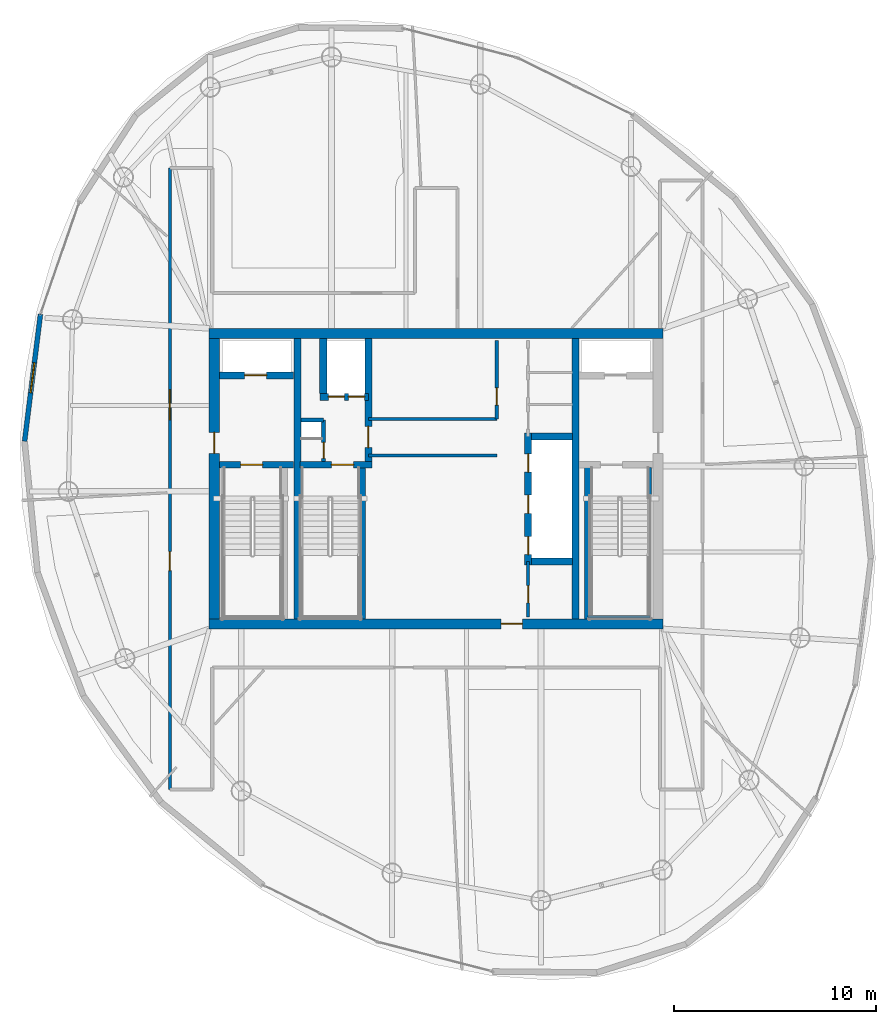
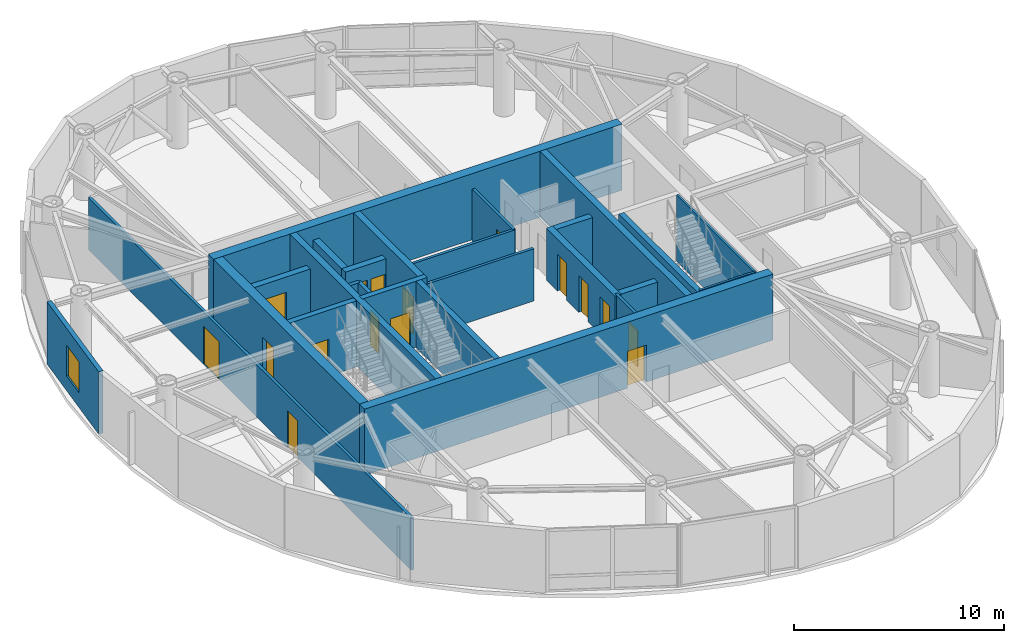
# One storey, part 12 of 17: 26 walls, 16 doors, 1 window, 17 openings.
"""IFC4 building model written with IfcOpenShell, lengths in metres."""

from ifc_helpers import new_model, si_unit, direction, frame, frame_2d, origin, place, context, subcontext, project, spatial, rectangle, extrude, material, layer, layer_set, type_object, element, fill, save


model = new_model("IFC4")

# Units and contexts
model_context = context("Model", 3, precision=1e-05, world=origin(), true_north=direction((0.0, 1.0)))
body_context = subcontext(model_context, "Body", "Model", "MODEL_VIEW")
ifc_project = project(units=[si_unit("LENGTHUNIT", "METRE"), si_unit("AREAUNIT", "SQUARE_METRE"), si_unit("VOLUMEUNIT", "CUBIC_METRE"), si_unit("PLANEANGLEUNIT", "RADIAN"), si_unit("MASSUNIT", "GRAM", prefix="KILO")], contexts=[model_context])

# Site, building, storey
site_placement = place(None, origin())
site = spatial("IfcSite", under=ifc_project, at=site_placement, CompositionType="ELEMENT")
building_placement = place(site_placement, origin())
building = spatial("IfcBuilding", under=site, at=building_placement, Name="Bramvorn Convention Spire", CompositionType="ELEMENT")
storey_placement = place(building_placement, frame((0.0, 0.0, 280.550048828125)))
storey = spatial("IfcBuildingStorey", under=building, at=storey_placement, Name="L71", CompositionType="ELEMENT", Elevation=280.550048828125)

# Wall, opening, door
ifc_material_1 = material(Name="Concrete C50/60", Category="concrete")
ifc_layer_1 = layer(ifc_material_1, 0.5)
ifc_layer_set_1 = layer_set([ifc_layer_1], Name="Concrete C50/60 - WL-CORE-500")
wall_type_1 = type_object("IfcWallType", Name="WL-CORE-500", PredefinedType="SHEAR", material=ifc_layer_set_1)
wall_1_placement = place(storey_placement, frame((26.75, 18.800048828125, 0.0), z_axis=(0.0, 0.0, 1.0), x_axis=(1.0, 0.0, 0.0)))
wall_1 = element("IfcWall", 1, at=wall_1_placement, inside=storey, type_object=wall_type_1, Name="L71 South RC core shear wall", PredefinedType="SHEAR", context=body_context, shape_type="SweptSolid", body=[
    extrude(rectangle(XDim=22.5, YDim=0.5, at=frame_2d((11.25, 0.0))), origin(), (0.0, 0.0, 1.0), 3.849853515625),
])
opening_1_placement = place(wall_1_placement, frame((14.469970703125, 0.0, 0.0)))
opening_1 = element("IfcOpeningElement", 2, at=opening_1_placement, cuts=wall_1, Name="Opening DL-105", PredefinedType="OPENING", context=body_context, shape_type="SweptSolid", body=[
    extrude(rectangle(XDim=1.050048828125, YDim=2.14990234375, at=frame_2d((0.52490234375, 1.074951171875))), frame((0.0, 0.260009765625, 0.0), z_axis=(0.0, -1.0, 0.0), x_axis=(1.0, 0.0, 0.0)), (0.0, 0.0, 1.0), 0.52001953125),
])
ifc_material_2 = material(Name="Smoke-Sealed Fire Lobby Timber-Core Door", Category="wood")
door_type_1 = type_object("IfcDoorType", Name="DR-LOBBY-1050", OperationType="NOTDEFINED", PredefinedType="DOOR", material=ifc_material_2)
door_1_placement = place(opening_1_placement, origin())
door_1 = element("IfcDoor", 3, at=door_1_placement, inside=storey, type_object=door_type_1, Name="L71 South Lift Lobby fire door", OperationType="SINGLE_SWING_RIGHT", OverallHeight=2.14990234375, OverallWidth=1.050048828125, PredefinedType="DOOR", context=body_context, shape_type="SweptSolid", body=[
    extrude(rectangle(XDim=1.050048828125, YDim=2.14990234375, at=frame_2d((0.52490234375, 1.074951171875))), frame((0.0, 0.02490234375, 0.0), z_axis=(0.0, -1.0, 0.0), x_axis=(1.0, 0.0, 0.0)), (0.0, 0.0, 1.0), 0.050048828125),
])
fill(opening_1, door_1)

# Wall
wall_2_placement = place(storey_placement, frame((26.75, 33.199951171875, 0.0), z_axis=(0.0, 0.0, 1.0), x_axis=(1.0, 0.0, 0.0)))
element("IfcWall", 4, at=wall_2_placement, inside=storey, type_object=wall_type_1, Name="L71 North RC core shear wall", PredefinedType="SHEAR", context=body_context, shape_type="SweptSolid", body=[
    extrude(rectangle(XDim=22.5, YDim=0.5, at=frame_2d((11.25, 0.0))), origin(), (0.0, 0.0, 1.0), 3.849853515625),
])

# Wall, opening, door
wall_3_placement = place(storey_placement, frame((27.0, 19.050048828125, 0.0), z_axis=(0.0, 0.0, 1.0), x_axis=(0.0, 1.0, 0.0)))
wall_3 = element("IfcWall", 5, at=wall_3_placement, inside=storey, type_object=wall_type_1, Name="L71 West RC core shear wall", PredefinedType="SHEAR", context=body_context, shape_type="SweptSolid", body=[
    extrude(rectangle(XDim=13.89990234375, YDim=0.5, at=frame_2d((6.949951171875, 0.0))), origin(), (0.0, 0.0, 1.0), 3.849853515625),
])
opening_2_placement = place(wall_3_placement, frame((8.199951171875, 0.0, 0.0)))
opening_2 = element("IfcOpeningElement", 6, at=opening_2_placement, cuts=wall_3, Name="Opening DL-105", PredefinedType="OPENING", context=body_context, shape_type="SweptSolid", body=[
    extrude(rectangle(XDim=1.050048828125, YDim=2.14990234375, at=frame_2d((0.52490234375, 1.074951171875))), frame((0.0, 0.260009765625, 0.0), z_axis=(0.0, -1.0, 0.0), x_axis=(1.0, 0.0, 0.0)), (0.0, 0.0, 1.0), 0.52001953125),
])
door_2_placement = place(opening_2_placement, origin())
door_2 = element("IfcDoor", 7, at=door_2_placement, inside=storey, type_object=door_type_1, Name="L71 West Firefighting Lobby corridor door", OperationType="SINGLE_SWING_RIGHT", OverallHeight=2.14990234375, OverallWidth=1.050048828125, PredefinedType="DOOR", context=body_context, shape_type="SweptSolid", body=[
    extrude(rectangle(XDim=1.050048828125, YDim=2.14990234375, at=frame_2d((0.52490234375, 1.074951171875))), frame((0.0, 0.02490234375, 0.0), z_axis=(0.0, -1.0, 0.0), x_axis=(1.0, 0.0, 0.0)), (0.0, 0.0, 1.0), 0.050048828125),
])
fill(opening_2, door_2)

# Walls
ifc_layer_2 = layer(ifc_material_1, 0.35009765625)
ifc_layer_set_2 = layer_set([ifc_layer_2], Name="Concrete C50/60 - WL-CORE-INT-350")
wall_type_2 = type_object("IfcWallType", Name="WL-CORE-INT-350", PredefinedType="SHEAR", material=ifc_layer_set_2)
for number, where, z_axis, x_axis, name in (
    (8, (31.1298828125, 19.050048828125, 0.0), (0.0, 0.0, 1.0), (0.0, 1.0, 0.0), "L71 West internal core shear web"),
    (9, (44.89990234375, 19.050048828125, 0.0), (0.0, 0.0, 1.0), (0.0, 1.0, 0.0), "L71 East internal core shear web"),
):
    element("IfcWall", number, at=place(storey_placement, frame(where, z_axis=z_axis, x_axis=x_axis)), inside=storey, type_object=wall_type_2, Name=name, PredefinedType="SHEAR", context=body_context, shape_type="SweptSolid", body=[
        extrude(rectangle(XDim=13.89990234375, YDim=0.35009765625, at=frame_2d((6.949951171875, 0.0))), origin(), (0.0, 0.0, 1.0), 3.849853515625),
    ])

# Wall, opening, door
wall_4_placement = place(storey_placement, frame((27.25, 31.1201171875, 0.0), z_axis=(0.0, 0.0, 1.0), x_axis=(1.0, 0.0, 0.0)))
wall_4 = element("IfcWall", 10, at=wall_4_placement, inside=storey, type_object=wall_type_2, Name="L71 FE1 shaft front wall", PredefinedType="SHEAR", context=body_context, shape_type="SweptSolid", body=[
    extrude(rectangle(XDim=3.669921875, YDim=0.35009765625, at=frame_2d((1.8349609375, 0.0))), origin(), (0.0, 0.0, 1.0), 3.0400390625),
])
opening_3_placement = place(wall_4_placement, frame((1.25, 0.0, 0.0)))
opening_3 = element("IfcOpeningElement", 11, at=opening_3_placement, cuts=wall_4, Name="Opening LD-110", PredefinedType="OPENING", context=body_context, shape_type="SweptSolid", body=[
    extrude(rectangle(XDim=1.10009765625, YDim=2.14990234375, at=frame_2d((0.550048828125, 1.074951171875))), frame((0.0, 0.18505859375, 0.0), z_axis=(0.0, -1.0, 0.0), x_axis=(1.0, 0.0, 0.0)), (0.0, 0.0, 1.0), 0.3701171875),
])
ifc_material_3 = material(Name="Firefighting & Service Lift Sliding Landing Door", Category="steel")
door_type_2 = type_object("IfcDoorType", Name="DR-LIFT-LD-1100", OperationType="NOTDEFINED", PredefinedType="DOOR", material=ifc_material_3)
door_3_placement = place(opening_3_placement, origin())
door_3 = element("IfcDoor", 12, at=door_3_placement, inside=storey, type_object=door_type_2, Name="L71 Lift FE1 Sliding Landing Door", OperationType="SLIDING_TO_LEFT", OverallHeight=2.14990234375, OverallWidth=1.10009765625, PredefinedType="DOOR", context=body_context, shape_type="SweptSolid", body=[
    extrude(rectangle(XDim=1.10009765625, YDim=2.14990234375, at=frame_2d((0.550048828125, 1.074951171875))), frame((0.0, 0.02490234375, 0.0), z_axis=(0.0, -1.0, 0.0), x_axis=(1.0, 0.0, 0.0)), (0.0, 0.0, 1.0), 0.050048828125),
])
fill(opening_3, door_3)

wall_5_placement = place(storey_placement, frame((34.639892578125, 26.68994140625, 0.0), z_axis=(0.0, 0.0, 1.0), x_axis=(0.0, 1.0, 0.0)))
wall_5 = element("IfcWall", 13, at=wall_5_placement, inside=storey, type_object=wall_type_2, Name="L71 SV east core shaft wall", PredefinedType="SHEAR", context=body_context, shape_type="SweptSolid", body=[
    extrude(rectangle(XDim=6.260009765625, YDim=0.35009765625, at=frame_2d((3.1298828125, 0.0))), origin(), (0.0, 0.0, 1.0), 3.849853515625),
])
opening_4_placement = place(wall_5_placement, frame((0.85009765625, 0.0, 0.0)))
opening_4 = element("IfcOpeningElement", 14, at=opening_4_placement, cuts=wall_5, Name="Opening DL-105", PredefinedType="OPENING", context=body_context, shape_type="SweptSolid", body=[
    extrude(rectangle(XDim=1.050048828125, YDim=2.14990234375, at=frame_2d((0.52490234375, 1.074951171875))), frame((0.0, 0.18505859375, 0.0), z_axis=(0.0, -1.0, 0.0), x_axis=(1.0, 0.0, 0.0)), (0.0, 0.0, 1.0), 0.3701171875),
])
door_4_placement = place(opening_4_placement, origin())
door_4 = element("IfcDoor", 15, at=door_4_placement, inside=storey, type_object=door_type_1, Name="L71 Core cross-passage door", OperationType="SINGLE_SWING_RIGHT", OverallHeight=2.14990234375, OverallWidth=1.050048828125, PredefinedType="DOOR", context=body_context, shape_type="SweptSolid", body=[
    extrude(rectangle(XDim=1.050048828125, YDim=2.14990234375, at=frame_2d((0.52490234375, 1.074951171875))), frame((0.0, 0.02490234375, 0.0), z_axis=(0.0, -1.0, 0.0), x_axis=(1.0, 0.0, 0.0)), (0.0, 0.0, 1.0), 0.050048828125),
])
fill(opening_4, door_4)

# Wall, openings, doors
wall_6_placement = place(storey_placement, frame((32.22998046875, 30.050048828125, 0.0), z_axis=(0.0, 0.0, 1.0), x_axis=(1.0, 0.0, 0.0)))
wall_6 = element("IfcWall", 16, at=wall_6_placement, inside=storey, type_object=wall_type_2, Name="L71 SV1/SV2 shaft front wall", PredefinedType="SHEAR", context=body_context, shape_type="SweptSolid", body=[
    extrude(rectangle(XDim=2.409912109375, YDim=0.35009765625, at=frame_2d((1.205078125, 0.0))), origin(), (0.0, 0.0, 1.0), 3.0400390625),
])
opening_5_placement = place(wall_6_placement, frame((0.419921875, 0.0, 0.0)))
opening_5 = element("IfcOpeningElement", 17, at=opening_5_placement, cuts=wall_6, Name="Opening LD-080", PredefinedType="OPENING", context=body_context, shape_type="SweptSolid", body=[
    extrude(rectangle(XDim=0.800048828125, YDim=2.14990234375, at=frame_2d((0.39990234375, 1.074951171875))), frame((0.0, 0.18505859375, 0.0), z_axis=(0.0, -1.0, 0.0), x_axis=(1.0, 0.0, 0.0)), (0.0, 0.0, 1.0), 0.3701171875),
])
opening_6_placement = place(wall_6_placement, frame((1.419921875, 0.0, 0.0)))
opening_6 = element("IfcOpeningElement", 18, at=opening_6_placement, cuts=wall_6, Name="Opening LD-080", PredefinedType="OPENING", context=body_context, shape_type="SweptSolid", body=[
    extrude(rectangle(XDim=0.800048828125, YDim=2.14990234375, at=frame_2d((0.39990234375, 1.074951171875))), frame((0.0, 0.18505859375, 0.0), z_axis=(0.0, -1.0, 0.0), x_axis=(1.0, 0.0, 0.0)), (0.0, 0.0, 1.0), 0.3701171875),
])
ifc_material_4 = material(Name="Service Lift Bi-Parting Landing Door", Category="steel")
door_type_3 = type_object("IfcDoorType", Name="DR-LIFT-LD-800", OperationType="NOTDEFINED", PredefinedType="DOOR", material=ifc_material_4)
door_5_placement = place(opening_5_placement, origin())
door_5 = element("IfcDoor", 19, at=door_5_placement, inside=storey, type_object=door_type_3, Name="L71 Lift SV1 Sliding Landing Door", OperationType="SLIDING_TO_LEFT", OverallHeight=2.14990234375, OverallWidth=0.800048828125, PredefinedType="DOOR", context=body_context, shape_type="SweptSolid", body=[
    extrude(rectangle(XDim=0.800048828125, YDim=2.14990234375, at=frame_2d((0.39990234375, 1.074951171875))), frame((0.0, 0.02490234375, 0.0), z_axis=(0.0, -1.0, 0.0), x_axis=(1.0, 0.0, 0.0)), (0.0, 0.0, 1.0), 0.050048828125),
])
fill(opening_5, door_5)
door_6_placement = place(opening_6_placement, origin())
door_6 = element("IfcDoor", 20, at=door_6_placement, inside=storey, type_object=door_type_3, Name="L71 Lift SV2 Sliding Landing Door", OperationType="SLIDING_TO_LEFT", OverallHeight=2.14990234375, OverallWidth=0.800048828125, PredefinedType="DOOR", context=body_context, shape_type="SweptSolid", body=[
    extrude(rectangle(XDim=0.800048828125, YDim=2.14990234375, at=frame_2d((0.39990234375, 1.074951171875))), frame((0.0, 0.02490234375, 0.0), z_axis=(0.0, -1.0, 0.0), x_axis=(1.0, 0.0, 0.0)), (0.0, 0.0, 1.0), 0.050048828125),
])
fill(opening_6, door_6)

# Wall
wall_7_placement = place(storey_placement, frame((32.39990234375, 30.219970703125, 0.0), z_axis=(0.0, 0.0, 1.0), x_axis=(0.0, 1.0, 0.0)))
element("IfcWall", 21, at=wall_7_placement, inside=storey, type_object=wall_type_2, Name="L71 SV1 west hoistway wall", PredefinedType="SHEAR", context=body_context, shape_type="SweptSolid", body=[
    extrude(rectangle(XDim=2.72998046875, YDim=0.35009765625, at=frame_2d((1.364990234375, 0.0))), origin(), (0.0, 0.0, 1.0), 3.0400390625),
])

# Wall, openings, doors
wall_8_placement = place(storey_placement, frame((42.550048828125, 21.72998046875, 0.0), z_axis=(0.0, 0.0, 1.0), x_axis=(0.0, 1.0, 0.0)))
wall_8 = element("IfcWall", 22, at=wall_8_placement, inside=storey, type_object=wall_type_2, Name="L71 High-rise lift bank west wall", PredefinedType="SHEAR", context=body_context, shape_type="SweptSolid", body=[
    extrude(rectangle(XDim=6.5400390625, YDim=0.35009765625, at=frame_2d((3.27001953125, 0.0))), origin(), (0.0, 0.0, 1.0), 3.0400390625),
])
opening_7_placement = place(wall_8_placement, frame((0.5, 0.0, 0.0)))
opening_7 = element("IfcOpeningElement", 23, at=opening_7_placement, cuts=wall_8, Name="Opening LD-090", PredefinedType="OPENING", context=body_context, shape_type="SweptSolid", body=[
    extrude(rectangle(XDim=0.89990234375, YDim=2.14990234375, at=frame_2d((0.449951171875, 1.074951171875))), frame((0.0, 0.18505859375, 0.0), z_axis=(0.0, -1.0, 0.0), x_axis=(1.0, 0.0, 0.0)), (0.0, 0.0, 1.0), 0.3701171875),
])
opening_8_placement = place(wall_8_placement, frame((2.550048828125, 0.0, 0.0)))
opening_8 = element("IfcOpeningElement", 24, at=opening_8_placement, cuts=wall_8, Name="Opening LD-090", PredefinedType="OPENING", context=body_context, shape_type="SweptSolid", body=[
    extrude(rectangle(XDim=0.89990234375, YDim=2.14990234375, at=frame_2d((0.449951171875, 1.074951171875))), frame((0.0, 0.18505859375, 0.0), z_axis=(0.0, -1.0, 0.0), x_axis=(1.0, 0.0, 0.0)), (0.0, 0.0, 1.0), 0.3701171875),
])
opening_9_placement = place(wall_8_placement, frame((4.60009765625, 0.0, 0.0)))
opening_9 = element("IfcOpeningElement", 25, at=opening_9_placement, cuts=wall_8, Name="Opening LD-090", PredefinedType="OPENING", context=body_context, shape_type="SweptSolid", body=[
    extrude(rectangle(XDim=0.89990234375, YDim=2.14990234375, at=frame_2d((0.449951171875, 1.074951171875))), frame((0.0, 0.18505859375, 0.0), z_axis=(0.0, -1.0, 0.0), x_axis=(1.0, 0.0, 0.0)), (0.0, 0.0, 1.0), 0.3701171875),
])
ifc_material_5 = material(Name="Bi-Parting Fire-Rated Lift Landing Door", Category="steel")
door_type_4 = type_object("IfcDoorType", Name="DR-LIFT-LD-900", OperationType="NOTDEFINED", PredefinedType="DOOR", material=ifc_material_5)
door_7_placement = place(opening_7_placement, origin())
door_7 = element("IfcDoor", 26, at=door_7_placement, inside=storey, type_object=door_type_4, Name="L71 Lift PH1 Sliding Landing Door", OperationType="SLIDING_TO_LEFT", OverallHeight=2.14990234375, OverallWidth=0.89990234375, PredefinedType="DOOR", context=body_context, shape_type="SweptSolid", body=[
    extrude(rectangle(XDim=0.89990234375, YDim=2.14990234375, at=frame_2d((0.449951171875, 1.074951171875))), frame((0.0, 0.02490234375, 0.0), z_axis=(0.0, -1.0, 0.0), x_axis=(1.0, 0.0, 0.0)), (0.0, 0.0, 1.0), 0.050048828125),
])
fill(opening_7, door_7)
door_8_placement = place(opening_8_placement, origin())
door_8 = element("IfcDoor", 27, at=door_8_placement, inside=storey, type_object=door_type_4, Name="L71 Lift PH2 Sliding Landing Door", OperationType="SLIDING_TO_LEFT", OverallHeight=2.14990234375, OverallWidth=0.89990234375, PredefinedType="DOOR", context=body_context, shape_type="SweptSolid", body=[
    extrude(rectangle(XDim=0.89990234375, YDim=2.14990234375, at=frame_2d((0.449951171875, 1.074951171875))), frame((0.0, 0.02490234375, 0.0), z_axis=(0.0, -1.0, 0.0), x_axis=(1.0, 0.0, 0.0)), (0.0, 0.0, 1.0), 0.050048828125),
])
fill(opening_8, door_8)
door_9_placement = place(opening_9_placement, origin())
door_9 = element("IfcDoor", 28, at=door_9_placement, inside=storey, type_object=door_type_4, Name="L71 Lift PH3 Sliding Landing Door", OperationType="SLIDING_TO_LEFT", OverallHeight=2.14990234375, OverallWidth=0.89990234375, PredefinedType="DOOR", context=body_context, shape_type="SweptSolid", body=[
    extrude(rectangle(XDim=0.89990234375, YDim=2.14990234375, at=frame_2d((0.449951171875, 1.074951171875))), frame((0.0, 0.02490234375, 0.0), z_axis=(0.0, -1.0, 0.0), x_axis=(1.0, 0.0, 0.0)), (0.0, 0.0, 1.0), 0.050048828125),
])
fill(opening_9, door_9)

# Walls
for number, where, z_axis, x_axis, name in (
    (29, (42.719970703125, 21.89990234375, 0.0), (0.0, 0.0, 1.0), (1.0, 0.0, 0.0), "L71 High-rise lift bank south wall"),
    (30, (42.719970703125, 28.10009765625, 0.0), (0.0, 0.0, 1.0), (1.0, 0.0, 0.0), "L71 High-rise lift bank north wall"),
):
    element("IfcWall", number, at=place(storey_placement, frame(where, z_axis=z_axis, x_axis=x_axis)), inside=storey, type_object=wall_type_2, Name=name, PredefinedType="SHEAR", context=body_context, shape_type="SweptSolid", body=[
        extrude(rectangle(XDim=2.030029296875, YDim=0.35009765625, at=frame_2d((1.01513671875, 0.0))), origin(), (0.0, 0.0, 1.0), 3.0400390625),
    ])

# Wall, opening, window
ifc_material_6 = material(Name="Precast Concrete C40/50 with Bronze Terracotta Rainscreen", Category="masonry")
ifc_layer_3 = layer(ifc_material_6, 0.300048828125)
ifc_layer_set_3 = layer_set([ifc_layer_3], Name="Precast Concrete C40/50 with Bronze Terracotta Rainscreen - WL-EXT-BRONZE-300")
wall_type_3 = type_object("IfcWallType", Name="WL-EXT-BRONZE-300", PredefinedType="SOLIDWALL", material=ifc_layer_set_3)
wall_9_placement = place(storey_placement, frame((17.59765625, 27.85400390625, 0.0), z_axis=(0.0, 0.0, 1.0), x_axis=(0.124124709547, 0.992266625701, 0.0)))
wall_9 = element("IfcWall", 31, at=wall_9_placement, inside=storey, type_object=wall_type_3, Name="L71 bronze ceramic-frit spandrel & operable window bay 16", PredefinedType="SOLIDWALL", context=body_context, shape_type="SweptSolid", body=[
    extrude(rectangle(XDim=6.34521484375, YDim=0.239990234375, at=frame_2d((3.172607421875, 0.0))), origin(), (0.0, 0.0, 1.0), 3.625),
])
opening_10_placement = place(wall_9_placement, frame((2.422607421875, 0.0, 0.85009765625)))
opening_10 = element("IfcOpeningElement", 32, at=opening_10_placement, cuts=wall_9, Name="Opening WN02", PredefinedType="OPENING", context=body_context, shape_type="SweptSolid", body=[
    extrude(rectangle(XDim=1.5, YDim=1.800048828125, at=frame_2d((0.75, 0.89990234375))), frame((0.0, 0.1298828125, 0.0), z_axis=(0.0, -1.0, 0.0), x_axis=(1.0, 0.0, 0.0)), (0.0, 0.0, 1.0), 0.260009765625),
])
ifc_material_7 = material(Name="Thermally Broken Bronze Aluminium & Triple Low-E Glass", Category="aluminium")
window_type = type_object("IfcWindowType", Name="WN-OP-1500X1800", PartitioningType="SINGLE_PANEL", PredefinedType="WINDOW", material=ifc_material_7)
window_placement = place(opening_10_placement, origin())
window = element("IfcWindow", 33, at=window_placement, inside=storey, type_object=window_type, Name="L71 operable parallel-vent window 16", OverallHeight=1.800048828125, OverallWidth=1.5, PartitioningType="SINGLE_PANEL", PredefinedType="WINDOW", context=body_context, shape_type="SweptSolid", body=[
    extrude(rectangle(XDim=1.5, YDim=1.800048828125, at=frame_2d((0.75, 0.89990234375))), frame((0.0, 0.030029296875, 0.0), z_axis=(0.0, -1.0, 0.0), x_axis=(1.0, 0.0, 0.0)), (0.0, 0.0, 1.0), 0.06005859375),
])
fill(opening_10, window)

# Walls
ifc_material_8 = material(Name="Acoustic Metal-Stud Tenant/Corridor Partition", Category="gypsum")
ifc_layer_4 = layer(ifc_material_8, 0.14990234375)
ifc_layer_set_4 = layer_set([ifc_layer_4], Name="Acoustic Metal-Stud Tenant/Corridor Partition - WL-PART-150")
wall_type_4 = type_object("IfcWallType", Name="WL-PART-150", PredefinedType="PARTITIONING", material=ifc_layer_set_4)
for number, where, z_axis, x_axis, name in (
    (34, (34.639892578125, 27.14990234375, 0.0), (0.0, 0.0, 1.0), (1.0, 0.0, 0.0), "L71 Cross-core passage south wall"),
    (35, (34.639892578125, 28.949951171875, 0.0), (0.0, 0.0, 1.0), (1.0, 0.0, 0.0), "L71 Cross-core passage north wall"),
):
    element("IfcWall", number, at=place(storey_placement, frame(where, z_axis=z_axis, x_axis=x_axis)), inside=storey, type_object=wall_type_4, Name=name, PredefinedType="PARTITIONING", context=body_context, shape_type="SweptSolid", body=[
        extrude(rectangle(XDim=6.360107421875, YDim=0.14990234375, at=frame_2d((3.18017578125, 0.0))), origin(), (0.0, 0.0, 1.0), 3.0400390625),
    ])

# Wall, opening, door
wall_10_placement = place(storey_placement, frame((41.0, 28.949951171875, 0.0), z_axis=(0.0, 0.0, 1.0), x_axis=(0.0, 1.0, 0.0)))
wall_10 = element("IfcWall", 36, at=wall_10_placement, inside=storey, type_object=wall_type_4, Name="L71 Freed north shaft room wall", PredefinedType="PARTITIONING", context=body_context, shape_type="SweptSolid", body=[
    extrude(rectangle(XDim=3.900146484375, YDim=0.14990234375, at=frame_2d((1.9501953125, 0.0))), origin(), (0.0, 0.0, 1.0), 3.0400390625),
])
opening_11_placement = place(wall_10_placement, frame((0.699951171875, 0.0, 0.0)))
opening_11 = element("IfcOpeningElement", 37, at=opening_11_placement, cuts=wall_10, Name="Opening DC-085", PredefinedType="OPENING", context=body_context, shape_type="SweptSolid", body=[
    extrude(rectangle(XDim=0.85009765625, YDim=2.10009765625, at=frame_2d((0.425048828125, 1.050048828125))), frame((0.0, 0.0849609375, 0.0), z_axis=(0.0, -1.0, 0.0), x_axis=(1.0, 0.0, 0.0)), (0.0, 0.0, 1.0), 0.169921875),
])
ifc_material_9 = material(Name="Fire-Rated Core Washroom & IDF Door", Category="wood")
door_type_5 = type_object("IfcDoorType", Name="DR-CORE-850", OperationType="NOTDEFINED", PredefinedType="DOOR", material=ifc_material_9)
door_10_placement = place(opening_11_placement, origin())
door_10 = element("IfcDoor", 38, at=door_10_placement, inside=storey, type_object=door_type_5, Name="L71 North core archive door", OperationType="SINGLE_SWING_LEFT", OverallHeight=2.10009765625, OverallWidth=0.85009765625, PredefinedType="DOOR", context=body_context, shape_type="SweptSolid", body=[
    extrude(rectangle(XDim=0.85009765625, YDim=2.10009765625, at=frame_2d((0.425048828125, 1.050048828125))), frame((0.0, 0.02490234375, 0.0), z_axis=(0.0, -1.0, 0.0), x_axis=(1.0, 0.0, 0.0)), (0.0, 0.0, 1.0), 0.050048828125),
])
fill(opening_11, door_10)

wall_11_placement = place(storey_placement, frame((42.550048828125, 19.14990234375, 0.0), z_axis=(0.0, 0.0, 1.0), x_axis=(0.0, 1.0, 0.0)))
wall_11 = element("IfcWall", 39, at=wall_11_placement, inside=storey, type_object=wall_type_4, Name="L71 KC SE wall", PredefinedType="PARTITIONING", context=body_context, shape_type="SweptSolid", body=[
    extrude(rectangle(XDim=2.75, YDim=0.14990234375, at=frame_2d((1.375, 0.0))), origin(), (0.0, 0.0, 1.0), 3.0400390625),
])
opening_12_placement = place(wall_11_placement, frame((0.699951171875, 0.0, 0.0)))
opening_12 = element("IfcOpeningElement", 40, at=opening_12_placement, cuts=wall_11, Name="Opening DC-085", PredefinedType="OPENING", context=body_context, shape_type="SweptSolid", body=[
    extrude(rectangle(XDim=0.85009765625, YDim=2.10009765625, at=frame_2d((0.425048828125, 1.050048828125))), frame((0.0, 0.0849609375, 0.0), z_axis=(0.0, -1.0, 0.0), x_axis=(1.0, 0.0, 0.0)), (0.0, 0.0, 1.0), 0.169921875),
])
door_11_placement = place(opening_12_placement, origin())
door_11 = element("IfcDoor", 41, at=door_11_placement, inside=storey, type_object=door_type_5, Name="L71 Core Valve & Riser Room door", OperationType="SINGLE_SWING_LEFT", OverallHeight=2.10009765625, OverallWidth=0.85009765625, PredefinedType="DOOR", context=body_context, shape_type="SweptSolid", body=[
    extrude(rectangle(XDim=0.85009765625, YDim=2.10009765625, at=frame_2d((0.425048828125, 1.050048828125))), frame((0.0, 0.02490234375, 0.0), z_axis=(0.0, -1.0, 0.0), x_axis=(1.0, 0.0, 0.0)), (0.0, 0.0, 1.0), 0.050048828125),
])
fill(opening_12, door_11)

# Wall, openings, doors
wall_12_placement = place(storey_placement, frame((24.800048828125, 10.60009765625, 0.0), z_axis=(0.0, 0.0, 1.0), x_axis=(0.0, 1.0, 0.0)))
wall_12 = element("IfcWall", 42, at=wall_12_placement, inside=storey, type_object=wall_type_4, Name="L71 West N-S gallery outer wall", PredefinedType="PARTITIONING", context=body_context, shape_type="SweptSolid", body=[
    extrude(rectangle(XDim=30.7998046875, YDim=0.14990234375, at=frame_2d((15.39990234375, 0.0))), origin(), (0.0, 0.0, 1.0), 3.0400390625),
])
opening_13_placement = place(wall_12_placement, frame((18.314208984375, 0.0, 0.0)))
opening_13 = element("IfcOpeningElement", 43, at=opening_13_placement, cuts=wall_12, Name="Opening DC-150", PredefinedType="OPENING", context=body_context, shape_type="SweptSolid", body=[
    extrude(rectangle(XDim=1.5, YDim=2.199951171875, at=frame_2d((0.75, 1.10009765625))), frame((0.0, 0.0849609375, 0.0), z_axis=(0.0, -1.0, 0.0), x_axis=(1.0, 0.0, 0.0)), (0.0, 0.0, 1.0), 0.169921875),
])
opening_14_placement = place(wall_12_placement, frame((10.839111328125, 0.0, 0.0)))
opening_14 = element("IfcOpeningElement", 44, at=opening_14_placement, cuts=wall_12, Name="Opening DH-095", PredefinedType="OPENING", context=body_context, shape_type="SweptSolid", body=[
    extrude(rectangle(XDim=0.949951171875, YDim=2.14990234375, at=frame_2d((0.47509765625, 1.074951171875))), frame((0.0, 0.0849609375, 0.0), z_axis=(0.0, -1.0, 0.0), x_axis=(1.0, 0.0, 0.0)), (0.0, 0.0, 1.0), 0.169921875),
])
ifc_material_10 = material(Name="Double-Leaf Smoke-Control Corridor Door", Category="wood")
door_type_6 = type_object("IfcDoorType", Name="DR-COR-1500", OperationType="NOTDEFINED", PredefinedType="DOOR", material=ifc_material_10)
door_12_placement = place(opening_13_placement, origin())
door_12 = element("IfcDoor", 45, at=door_12_placement, inside=storey, type_object=door_type_6, Name="L71 Trader Dining Cafe 2 4 door", OperationType="DOUBLE_DOOR_SINGLE_SWING", OverallHeight=2.199951171875, OverallWidth=1.5, PredefinedType="DOOR", context=body_context, shape_type="SweptSolid", body=[
    extrude(rectangle(XDim=1.5, YDim=2.199951171875, at=frame_2d((0.75, 1.10009765625))), frame((0.0, 0.02490234375, 0.0), z_axis=(0.0, -1.0, 0.0), x_axis=(1.0, 0.0, 0.0)), (0.0, 0.0, 1.0), 0.050048828125),
])
fill(opening_13, door_12)
ifc_material_11 = material(Name="Solid-Core Acoustic Guestroom Entry Door", Category="wood")
door_type_7 = type_object("IfcDoorType", Name="DR-HOTEL-950", OperationType="NOTDEFINED", PredefinedType="DOOR", material=ifc_material_11)
door_13_placement = place(opening_14_placement, origin())
door_13 = element("IfcDoor", 46, at=door_13_placement, inside=storey, type_object=door_type_7, Name="L71 Galley Kitchen 5 door", OperationType="SINGLE_SWING_RIGHT", OverallHeight=2.14990234375, OverallWidth=0.949951171875, PredefinedType="DOOR", context=body_context, shape_type="SweptSolid", body=[
    extrude(rectangle(XDim=0.949951171875, YDim=2.14990234375, at=frame_2d((0.47509765625, 1.074951171875))), frame((0.0, 0.02490234375, 0.0), z_axis=(0.0, -1.0, 0.0), x_axis=(1.0, 0.0, 0.0)), (0.0, 0.0, 1.0), 0.050048828125),
])
fill(opening_14, door_13)

# Wall, opening, door
ifc_material_12 = material(Name="Gypsum Shaftwall & Rockwool Core Partition", Category="gypsum")
ifc_layer_5 = layer(ifc_material_12, 0.199951171875)
ifc_layer_set_5 = layer_set([ifc_layer_5], Name="Gypsum Shaftwall & Rockwool Core Partition - WL-PART-200-FR")
wall_type_5 = type_object("IfcWallType", Name="WL-PART-200-FR", PredefinedType="PARTITIONING", material=ifc_layer_set_5)
wall_13_placement = place(storey_placement, frame((32.419921875, 26.860107421875, 0.0), z_axis=(0.0, 0.0, 1.0), x_axis=(0.0, 1.0, 0.0)))
wall_13 = element("IfcWall", 47, at=wall_13_placement, inside=storey, type_object=wall_type_5, Name="L71 Telecom riser east wall", PredefinedType="PARTITIONING", context=body_context, shape_type="SweptSolid", body=[
    extrude(rectangle(XDim=2.039794921875, YDim=0.199951171875, at=frame_2d((1.02001953125, 0.0))), origin(), (0.0, 0.0, 1.0), 3.0400390625),
])
opening_15_placement = place(wall_13_placement, frame((0.139892578125, 0.0, 0.0)))
opening_15 = element("IfcOpeningElement", 48, at=opening_15_placement, cuts=wall_13, Name="Opening DR-080", PredefinedType="OPENING", context=body_context, shape_type="SweptSolid", body=[
    extrude(rectangle(XDim=0.800048828125, YDim=2.050048828125, at=frame_2d((0.39990234375, 1.02490234375))), frame((0.0, 0.10986328125, 0.0), z_axis=(0.0, -1.0, 0.0), x_axis=(1.0, 0.0, 0.0)), (0.0, 0.0, 1.0), 0.219970703125),
])
ifc_material_13 = material(Name="Flush Steel Riser Access Door", Category="steel")
door_type_8 = type_object("IfcDoorType", Name="DR-RISER-800", OperationType="NOTDEFINED", PredefinedType="DOOR", material=ifc_material_13)
door_14_placement = place(opening_15_placement, origin())
door_14 = element("IfcDoor", 49, at=door_14_placement, inside=storey, type_object=door_type_8, Name="L71 Telecom riser access door", OperationType="SINGLE_SWING_RIGHT", OverallHeight=2.050048828125, OverallWidth=0.800048828125, PredefinedType="DOOR", context=body_context, shape_type="SweptSolid", body=[
    extrude(rectangle(XDim=0.800048828125, YDim=2.050048828125, at=frame_2d((0.39990234375, 1.02490234375))), frame((0.0, 0.02490234375, 0.0), z_axis=(0.0, -1.0, 0.0), x_axis=(1.0, 0.0, 0.0)), (0.0, 0.0, 1.0), 0.050048828125),
])
fill(opening_15, door_14)

# Wall
wall_14_placement = place(storey_placement, frame((31.300048828125, 28.89990234375, 0.0), z_axis=(0.0, 0.0, 1.0), x_axis=(1.0, 0.0, 0.0)))
element("IfcWall", 50, at=wall_14_placement, inside=storey, type_object=wall_type_5, Name="L71 Telecom riser north wall", PredefinedType="PARTITIONING", context=body_context, shape_type="SweptSolid", body=[
    extrude(rectangle(XDim=1.119873046875, YDim=0.199951171875, at=frame_2d((0.56005859375, 0.0))), origin(), (0.0, 0.0, 1.0), 3.0400390625),
])

# Wall, opening, door
ifc_layer_6 = layer(ifc_material_1, 0.300048828125)
ifc_layer_set_6 = layer_set([ifc_layer_6], Name="Concrete C50/60 - WL-POD-STAIR-300")
wall_type_6 = type_object("IfcWallType", Name="WL-POD-STAIR-300", PredefinedType="SHEAR", material=ifc_layer_set_6)
wall_15_placement = place(storey_placement, frame((27.25, 26.68994140625, 0.0), z_axis=(0.0, 0.0, 1.0), x_axis=(1.0, 0.0, 0.0)))
wall_15 = element("IfcWall", 51, at=wall_15_placement, inside=storey, type_object=wall_type_6, Name="L71 ST1 north fire wall", PredefinedType="SHEAR", context=body_context, shape_type="SweptSolid", body=[
    extrude(rectangle(XDim=3.669921875, YDim=0.300048828125, at=frame_2d((1.8349609375, 0.0))), origin(), (0.0, 0.0, 1.0), 3.849853515625),
])
opening_16_placement = place(wall_15_placement, frame((1.050048828125, 0.0, 0.0)))
opening_16 = element("IfcOpeningElement", 52, at=opening_16_placement, cuts=wall_15, Name="Opening DS-110", PredefinedType="OPENING", context=body_context, shape_type="SweptSolid", body=[
    extrude(rectangle(XDim=1.10009765625, YDim=2.14990234375, at=frame_2d((0.550048828125, 1.074951171875))), frame((0.0, 0.159912109375, 0.0), z_axis=(0.0, -1.0, 0.0), x_axis=(1.0, 0.0, 0.0)), (0.0, 0.0, 1.0), 0.320068359375),
])
ifc_material_14 = material(Name="Fire-Rated Hollow Steel Stairwell Door", Category="steel")
door_type_9 = type_object("IfcDoorType", Name="DR-STAIR-1100", OperationType="NOTDEFINED", PredefinedType="DOOR", material=ifc_material_14)
door_15_placement = place(opening_16_placement, origin())
door_15 = element("IfcDoor", 53, at=door_15_placement, inside=storey, type_object=door_type_9, Name="L71 Stair ST1 fire door", OperationType="SINGLE_SWING_LEFT", OverallHeight=2.14990234375, OverallWidth=1.10009765625, PredefinedType="DOOR", context=body_context, shape_type="SweptSolid", body=[
    extrude(rectangle(XDim=1.10009765625, YDim=2.14990234375, at=frame_2d((0.550048828125, 1.074951171875))), frame((0.0, 0.02490234375, 0.0), z_axis=(0.0, -1.0, 0.0), x_axis=(1.0, 0.0, 0.0)), (0.0, 0.0, 1.0), 0.050048828125),
])
fill(opening_16, door_15)

# Walls
for number, where, z_axis, x_axis, name in (
    (54, (45.510009765625, 19.050048828125, 0.0), (0.0, 0.0, 1.0), (0.0, 1.0, 0.0), "L71 ST2 west bearing wall"),
    (55, (34.340087890625, 19.050048828125, 0.0), (0.0, 0.0, 1.0), (0.0, 1.0, 0.0), "L71 ST3 east bearing wall"),
):
    element("IfcWall", number, at=place(storey_placement, frame(where, z_axis=z_axis, x_axis=x_axis)), inside=storey, type_object=wall_type_6, Name=name, PredefinedType="SHEAR", context=body_context, shape_type="SweptSolid", body=[
        extrude(rectangle(XDim=7.5, YDim=0.300048828125, at=frame_2d((3.75, 0.0))), origin(), (0.0, 0.0, 1.0), 3.849853515625),
    ])

# Wall, opening, door
wall_16_placement = place(storey_placement, frame((31.25, 26.68994140625, 0.0), z_axis=(0.0, 0.0, 1.0), x_axis=(1.0, 0.0, 0.0)))
wall_16 = element("IfcWall", 56, at=wall_16_placement, inside=storey, type_object=wall_type_6, Name="L71 ST3 north lobby wall", PredefinedType="SHEAR", context=body_context, shape_type="SweptSolid", body=[
    extrude(rectangle(XDim=3.56005859375, YDim=0.300048828125, at=frame_2d((1.780029296875, 0.0))), origin(), (0.0, 0.0, 1.0), 3.849853515625),
])
opening_17_placement = place(wall_16_placement, frame((1.550048828125, 0.0, 0.0)))
opening_17 = element("IfcOpeningElement", 57, at=opening_17_placement, cuts=wall_16, Name="Opening DS-110", PredefinedType="OPENING", context=body_context, shape_type="SweptSolid", body=[
    extrude(rectangle(XDim=1.10009765625, YDim=2.14990234375, at=frame_2d((0.550048828125, 1.074951171875))), frame((0.0, 0.159912109375, 0.0), z_axis=(0.0, -1.0, 0.0), x_axis=(1.0, 0.0, 0.0)), (0.0, 0.0, 1.0), 0.320068359375),
])
door_16_placement = place(opening_17_placement, origin())
door_16 = element("IfcDoor", 58, at=door_16_placement, inside=storey, type_object=door_type_9, Name="L71 Stair ST3 fire door", OperationType="SINGLE_SWING_LEFT", OverallHeight=2.14990234375, OverallWidth=1.10009765625, PredefinedType="DOOR", context=body_context, shape_type="SweptSolid", body=[
    extrude(rectangle(XDim=1.10009765625, YDim=2.14990234375, at=frame_2d((0.550048828125, 1.074951171875))), frame((0.0, 0.02490234375, 0.0), z_axis=(0.0, -1.0, 0.0), x_axis=(1.0, 0.0, 0.0)), (0.0, 0.0, 1.0), 0.050048828125),
])
fill(opening_17, door_16)

# Walls
ifc_layer_7 = layer(ifc_material_1, 0.1201171875)
ifc_layer_set_7 = layer_set([ifc_layer_7], Name="Concrete C50/60 - WL-STAIR-RC-120")
wall_type_7 = type_object("IfcWallType", Name="WL-STAIR-RC-120", PredefinedType="SHEAR", material=ifc_layer_set_7)
wall_17_placement = place(storey_placement, frame((48.60498046875, 19.10009765625, 0.0), z_axis=(0.0, 0.0, 1.0), x_axis=(0.0, 1.0, 0.0)))
element("IfcWall", 59, at=wall_17_placement, inside=storey, type_object=wall_type_7, Name="L71 ST2 east bearing shear wall", PredefinedType="SHEAR", context=body_context, shape_type="SweptSolid", body=[
    extrude(rectangle(XDim=7.449951171875, YDim=0.1201171875, at=frame_2d((3.72509765625, 0.0))), origin(), (0.0, 0.0, 1.0), 3.849853515625),
])
wall_18_placement = place(storey_placement, frame((45.510009765625, 19.159912109375, 0.0), z_axis=(0.0, 0.0, 1.0), x_axis=(1.0, 0.0, 0.0)))
element("IfcWall", 60, at=wall_18_placement, inside=storey, type_object=wall_type_7, Name="L71 ST2 south bearing shear wall", PredefinedType="SHEAR", context=body_context, shape_type="SweptSolid", body=[
    extrude(rectangle(XDim=3.094970703125, YDim=0.1201171875, at=frame_2d((1.54736328125, 0.0))), origin(), (0.0, 0.0, 1.0), 3.849853515625),
])

save(model, "model.ifc")
